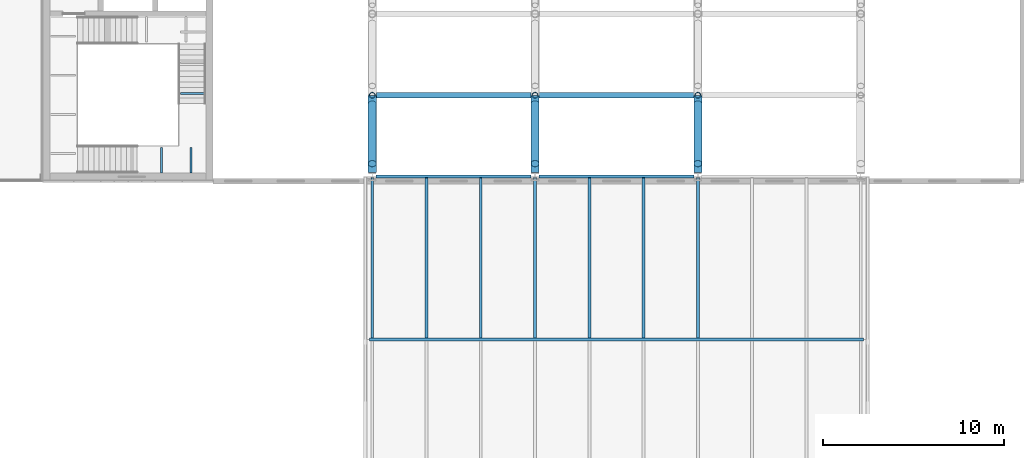
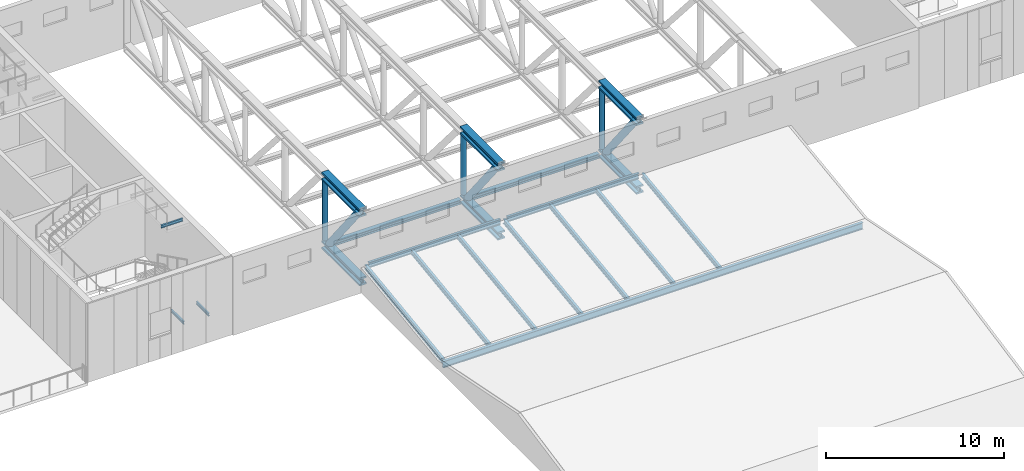
# One storey, part 16 of 29: 14 beams, 13 members.
"""IFC4 building model written with IfcOpenShell, lengths in metres."""

from ifc_helpers import new_model, si_unit, direction, frame, origin, origin_2d, place, context, subcontext, project, spatial, hollow_circle, i_section, extrude, material, material_profile, profile_set, type_object, element, save


model = new_model("IFC4")

# Units and contexts
model_context = context("Model", 3, precision=1e-05, world=origin(), true_north=direction((0.0, 1.0)))
body_context = subcontext(model_context, "Body", "Model", "MODEL_VIEW")
ifc_project = project(units=[si_unit("LENGTHUNIT", "METRE"), si_unit("AREAUNIT", "SQUARE_METRE"), si_unit("VOLUMEUNIT", "CUBIC_METRE"), si_unit("PLANEANGLEUNIT", "RADIAN"), si_unit("MASSUNIT", "GRAM", prefix="KILO")], contexts=[model_context])

# Site, building, storey
site_placement = place(None, origin())
site = spatial("IfcSite", under=ifc_project, at=site_placement, CompositionType="ELEMENT")
building_placement = place(site_placement, origin())
building = spatial("IfcBuilding", under=site, at=building_placement, Name="Azimuth Sports and Learning Centre", CompositionType="ELEMENT")
storey_placement = place(building_placement, frame((0.0, 0.0, 27.0)))
storey = spatial("IfcBuildingStorey", under=building, at=storey_placement, Name="L05", CompositionType="ELEMENT", Elevation=27.0)

# Beams
ifc_material_1 = material(Name="Steel S355", Category="steel")
ifc_material_profile_1 = material_profile(ifc_material_1, i_section(OverallWidth=0.300048828125, OverallDepth=0.300048828125, WebThickness=0.010986328125, FlangeThickness=0.01904296875, FilletRadius=0.027099609375, at=origin_2d()), Name="HEB 300")
ifc_profile_set_1 = profile_set([ifc_material_profile_1], Name="Steel S355")
beam_type_1 = type_object("IfcBeamType", Name="Beam HEB 300", PredefinedType="BEAM", material=ifc_profile_set_1)
for number, where, z_axis, x_axis, name in (
    (1, (72.22705078125, 94.5, 0.14990234375), (1.0, 0.0, 0.0), (0.0, 1.0, 0.0), "Transfer truss bracing strut 1"),
    (2, (81.22705078125, 94.5, 0.14990234375), (1.0, 0.0, 0.0), (0.0, 1.0, 0.0), "Transfer truss bracing strut 2"),
):
    element("IfcBeam", number, at=place(storey_placement, frame(where, z_axis=z_axis, x_axis=x_axis)), inside=storey, type_object=beam_type_1, Name=name, PredefinedType="BEAM", context=body_context, shape_type="SweptSolid", body=[
        extrude(i_section(OverallWidth=0.300048828125, OverallDepth=0.300048828125, WebThickness=0.010986328125, FlangeThickness=0.01904296875, FilletRadius=0.027099609375, at=origin_2d()), origin(), (0.0, 0.0, 1.0), 8.5458984375),
    ])
ifc_material_2 = material(Name="Steel S355", Category="steel")
ifc_material_profile_2 = material_profile(ifc_material_2, i_section(OverallWidth=0.10009765625, OverallDepth=0.199951171875, WebThickness=0.005615234375, FlangeThickness=0.008544921875, FilletRadius=0.011962890625, at=origin_2d()), Name="IPE 200")
ifc_profile_set_2 = profile_set([ifc_material_profile_2], Name="Steel S355")
beam_type_2 = type_object("IfcBeamType", Name="Beam IPE 200", PredefinedType="BEAM", material=ifc_profile_set_2)
for number, where, z_axis, x_axis, name in (
    (3, (60.35009765625, 90.199951171875, 1.5), (0.0, 1.0, 0.0), (-1.0, 0.0, 0.0), "Landing bracket W1 L05 50"),
    (4, (61.9765625, 90.199951171875, 1.5), (0.0, 1.0, 0.0), (-1.0, 0.0, 0.0), "Landing bracket W1 L05 51"),
    (5, (62.800048828125, 94.598388671875, 5.10009765625), (-1.0, 0.0, 0.0), (0.0, -1.0, 0.0), "Landing bracket W1 L05 56"),
):
    element("IfcBeam", number, at=place(storey_placement, frame(where, z_axis=z_axis, x_axis=x_axis)), inside=storey, type_object=beam_type_2, Name=name, PredefinedType="BEAM", context=body_context, shape_type="SweptSolid", body=[
        extrude(i_section(OverallWidth=0.10009765625, OverallDepth=0.199951171875, WebThickness=0.005615234375, FlangeThickness=0.008544921875, FilletRadius=0.011962890625, at=origin_2d()), origin(), (0.0, 0.0, 1.0), 1.41015625),
    ])
ifc_material_3 = material(Name="Steel S355", Category="steel")
ifc_material_profile_3 = material_profile(ifc_material_3, i_section(OverallWidth=0.169921875, OverallDepth=0.360107421875, WebThickness=0.008056640625, FlangeThickness=0.0126953125, FilletRadius=0.01806640625, at=origin_2d()), Name="IPE 360")
ifc_profile_set_3 = profile_set([ifc_material_profile_3], Name="Steel S355")
beam_type_3 = type_object("IfcBeamType", Name="Beam IPE 360", PredefinedType="BEAM", material=ifc_profile_set_3)
for number, where, z_axis, x_axis, name in (
    (6, (72.2119140625, 90.0, 1.46875), (1.0, 0.0, 0.0), (0.0, 1.0, 0.0), "Beam L05 RF 11"),
    (7, (81.2119140625, 90.0, 1.46875), (1.0, 0.0, 0.0), (0.0, 1.0, 0.0), "Beam L05 RF 12"),
):
    element("IfcBeam", number, at=place(storey_placement, frame(where, z_axis=z_axis, x_axis=x_axis)), inside=storey, type_object=beam_type_3, Name=name, PredefinedType="BEAM", context=body_context, shape_type="SweptSolid", body=[
        extrude(i_section(OverallWidth=0.169921875, OverallDepth=0.360107421875, WebThickness=0.008056640625, FlangeThickness=0.0126953125, FilletRadius=0.01806640625, at=origin_2d()), origin(), (0.0, 0.0, 1.0), 8.576171875),
    ])
ifc_material_4 = material(Name="Steel S355", Category="steel")
ifc_material_profile_4 = material_profile(ifc_material_4, i_section(OverallWidth=0.18994140625, OverallDepth=0.449951171875, WebThickness=0.009521484375, FlangeThickness=0.0146484375, FilletRadius=0.02099609375, at=origin_2d()), Name="IPE 450")
ifc_profile_set_4 = profile_set([ifc_material_profile_4], Name="Steel S355")
beam_type_4 = type_object("IfcBeamType", Name="Beam IPE 450", PredefinedType="BEAM", material=ifc_profile_set_4)
beam_placement = place(storey_placement, frame((71.85009765625, 81.0, 0.222900390625), z_axis=(1.0, 0.0, 0.0), x_axis=(0.0, 1.0, 0.0)))
element("IfcBeam", 8, at=beam_placement, inside=storey, type_object=beam_type_4, Name="Beam L05 RF 10", PredefinedType="BEAM", context=body_context, shape_type="SweptSolid", body=[
    extrude(i_section(OverallWidth=0.18994140625, OverallDepth=0.449951171875, WebThickness=0.009521484375, FlangeThickness=0.0146484375, FilletRadius=0.02099609375, at=origin_2d()), origin(), (0.0, 0.0, 1.0), 27.2998046875),
])

# Members
ifc_material_5 = material(Name="Steel S355", Category="steel")
ifc_material_profile_5 = material_profile(ifc_material_5, i_section(OverallWidth=0.159912109375, OverallDepth=0.330078125, WebThickness=0.007568359375, FlangeThickness=0.011474609375, FilletRadius=0.01806640625, at=origin_2d()), Name="IPE 330")
ifc_profile_set_5 = profile_set([ifc_material_profile_5], Name="Steel S355")
member_type_1 = type_object("IfcMemberType", Name="Rafter IPE 330", PredefinedType="RAFTER", material=ifc_profile_set_5)
for number, where, z_axis, x_axis, name in (
    (9, (72.0, 81.11669921875, 0.2978515625), (0.0, 0.991227661054, 0.132165517294), (-1.0, 0.0, 0.0), "Rafter FOLD10 91"),
    (10, (75.0, 81.11669921875, 0.2978515625), (0.0, 0.991227661054, 0.132165517294), (-1.0, 0.0, 0.0), "Rafter FOLD10 92"),
    (11, (78.0, 81.11669921875, 0.2978515625), (0.0, 0.991227661054, 0.132165517294), (-1.0, 0.0, 0.0), "Rafter FOLD10 93"),
    (12, (81.0, 81.11669921875, 0.2978515625), (0.0, 0.991227661054, 0.132165517294), (-1.0, 0.0, 0.0), "Rafter FOLD10 94"),
    (13, (84.0, 81.11669921875, 0.2978515625), (0.0, 0.991227661054, 0.132165517294), (-1.0, 0.0, 0.0), "Rafter FOLD10 95"),
    (14, (87.0, 81.11669921875, 0.2978515625), (0.0, 0.991227661054, 0.132165517294), (-1.0, 0.0, 0.0), "Rafter FOLD10 96"),
    (15, (90.0, 81.11669921875, 0.2978515625), (0.0, 0.991227661054, 0.132165517294), (-1.0, 0.0, 0.0), "Rafter FOLD10 97"),
):
    element("IfcMember", number, at=place(storey_placement, frame(where, z_axis=z_axis, x_axis=x_axis)), inside=storey, type_object=member_type_1, Name=name, PredefinedType="RAFTER", context=body_context, shape_type="SweptSolid", body=[
        extrude(i_section(OverallWidth=0.159912109375, OverallDepth=0.330078125, WebThickness=0.007568359375, FlangeThickness=0.011474609375, FilletRadius=0.01806640625, at=origin_2d()), origin(), (0.0, 0.0, 1.0), 8.898193359375),
    ])

# Beams
ifc_material_6 = material(Name="Steel S460", Category="steel")
ifc_material_profile_6 = material_profile(ifc_material_6, i_section(OverallWidth=0.447998046875, OverallDepth=0.550048828125, WebThickness=0.072021484375, FlangeThickness=0.114990234375, FilletRadius=0.014892578125, at=origin_2d()), Name="HD 400x990")
ifc_profile_set_6 = profile_set([ifc_material_profile_6], Name="Steel S460")
beam_type_5 = type_object("IfcBeamType", Name="Truss chord HD 400x990", PredefinedType="USERDEFINED", material=ifc_profile_set_6)
for number, where, z_axis, x_axis, name in (
    (16, (72.0, 90.237060546875, 4.9951171875), (0.0, 1.0, 0.0), (-1.0, 0.0, 0.0), "Transfer truss TT-1 top chord 1"),
    (17, (72.0, 90.237060546875, 0.27490234375), (0.0, 1.0, 0.0), (-1.0, 0.0, 0.0), "Transfer truss TT-1 bottom chord 1"),
    (18, (81.0, 90.237060546875, 4.9951171875), (0.0, 1.0, 0.0), (-1.0, 0.0, 0.0), "Transfer truss TT-2 top chord 1"),
    (19, (81.0, 90.237060546875, 0.27490234375), (0.0, 1.0, 0.0), (-1.0, 0.0, 0.0), "Transfer truss TT-2 bottom chord 1"),
    (20, (90.0, 90.237060546875, 4.9951171875), (0.0, 1.0, 0.0), (-1.0, 0.0, 0.0), "Transfer truss TT-3 top chord 1"),
    (21, (90.0, 90.237060546875, 0.27490234375), (0.0, 1.0, 0.0), (-1.0, 0.0, 0.0), "Transfer truss TT-3 bottom chord 1"),
):
    element("IfcBeam", number, at=place(storey_placement, frame(where, z_axis=z_axis, x_axis=x_axis)), inside=storey, type_object=beam_type_5, Name=name, ObjectType="TRUSS CHORD", PredefinedType="USERDEFINED", context=body_context, shape_type="SweptSolid", body=[
        extrude(i_section(OverallWidth=0.447998046875, OverallDepth=0.550048828125, WebThickness=0.072021484375, FlangeThickness=0.114990234375, FilletRadius=0.014892578125, at=origin_2d()), origin(), (0.0, 0.0, 1.0), 4.262939453125),
    ])

# Members
ifc_material_7 = material(Name="Steel S355", Category="steel")
ifc_material_profile_7 = material_profile(ifc_material_7, hollow_circle(Radius=0.228515625, WallThickness=0.01611328125, at=origin_2d()), Name="CHS 457x16.0")
ifc_profile_set_7 = profile_set([ifc_material_profile_7], Name="Steel S355")
member_type_2 = type_object("IfcMemberType", Name="Truss diagonal CHS 457x16.0", PredefinedType="BRACE", material=ifc_profile_set_7)
for number, where, z_axis, x_axis, name in (
    (22, (72.0, 90.723876953125, 4.719970703125), (0.0, 0.619326776341, -0.785133328873), (-1.0, 0.0, 0.0), "Transfer truss TT-1 diagonal 1"),
    (23, (81.0, 90.723876953125, 4.719970703125), (0.0, 0.619326776341, -0.785133328873), (-1.0, 0.0, 0.0), "Transfer truss TT-2 diagonal 1"),
    (24, (90.0, 90.723876953125, 4.719970703125), (0.0, 0.619326776341, -0.785133328873), (-1.0, 0.0, 0.0), "Transfer truss TT-3 diagonal 1"),
):
    element("IfcMember", number, at=place(storey_placement, frame(where, z_axis=z_axis, x_axis=x_axis)), inside=storey, type_object=member_type_2, Name=name, PredefinedType="BRACE", context=body_context, shape_type="SweptSolid", body=[
        extrude(hollow_circle(Radius=0.228515625, WallThickness=0.01611328125, at=origin_2d()), origin(), (0.0, 0.0, 1.0), 5.31103515625),
    ])
ifc_material_8 = material(Name="Steel S355", Category="steel")
ifc_material_profile_8 = material_profile(ifc_material_8, hollow_circle(Radius=0.161865234375, WallThickness=0.01611328125, at=origin_2d()), Name="CHS 323.9x16.0")
ifc_profile_set_8 = profile_set([ifc_material_profile_8], Name="Steel S355")
member_type_3 = type_object("IfcMemberType", Name="Truss post CHS 323.9x16.0", PredefinedType="POST", material=ifc_profile_set_8)
for number, where, z_axis, x_axis, name in (
    (25, (72.0, 94.5, 0.550048828125), (0.0, 0.0, 1.0), (1.0, 0.0, 0.0), "Transfer truss TT-1 post 1"),
    (26, (81.0, 94.5, 0.550048828125), (0.0, 0.0, 1.0), (1.0, 0.0, 0.0), "Transfer truss TT-2 post 1"),
    (27, (90.0, 94.5, 0.550048828125), (0.0, 0.0, 1.0), (1.0, 0.0, 0.0), "Transfer truss TT-3 post 1"),
):
    element("IfcMember", number, at=place(storey_placement, frame(where, z_axis=z_axis, x_axis=x_axis)), inside=storey, type_object=member_type_3, Name=name, PredefinedType="POST", context=body_context, shape_type="SweptSolid", body=[
        extrude(hollow_circle(Radius=0.161865234375, WallThickness=0.01611328125, at=origin_2d()), origin(), (0.0, 0.0, 1.0), 4.169921875),
    ])

save(model, "model.ifc")
